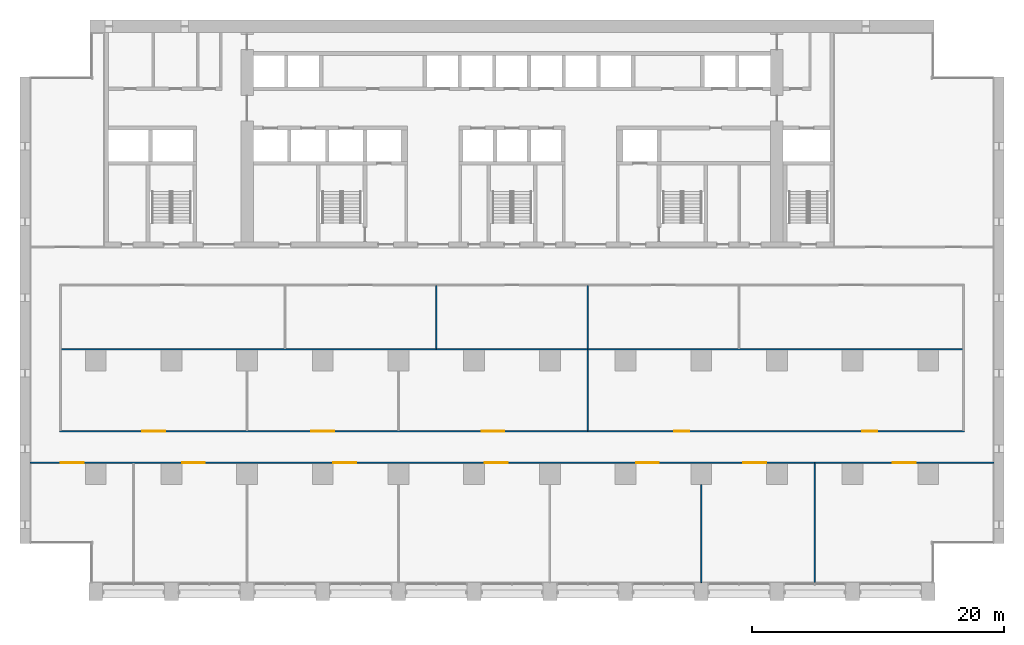
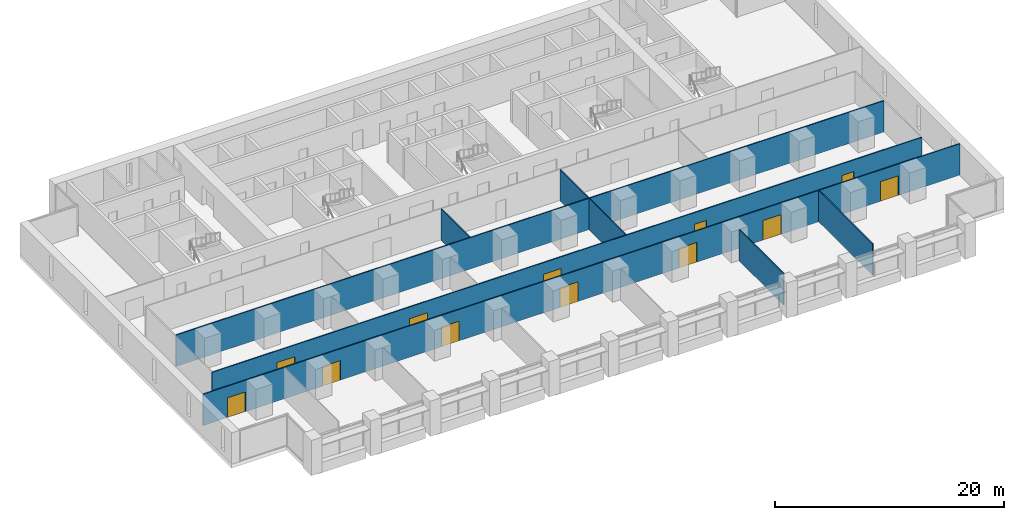
# One storey, part 9 of 18: 12 doors, 8 walls, 12 openings.
"""IFC4 building model written with IfcOpenShell, lengths in metres."""

from ifc_helpers import new_model, si_unit, direction, frame, frame_2d, origin, place, context, subcontext, project, spatial, rectangle, extrude, material, layer, layer_set, type_object, element, fill, save


model = new_model("IFC4")

# Units and contexts
model_context = context("Model", 3, precision=1e-05, world=origin(), true_north=direction((0.0, 1.0)))
body_context = subcontext(model_context, "Body", "Model", "MODEL_VIEW")
ifc_project = project(units=[si_unit("LENGTHUNIT", "METRE"), si_unit("AREAUNIT", "SQUARE_METRE"), si_unit("VOLUMEUNIT", "CUBIC_METRE"), si_unit("PLANEANGLEUNIT", "RADIAN"), si_unit("MASSUNIT", "GRAM", prefix="KILO")], contexts=[model_context])

# Site, building, storey
site_placement = place(None, origin())
site = spatial("IfcSite", under=ifc_project, at=site_placement, CompositionType="ELEMENT")
building_placement = place(site_placement, origin())
building = spatial("IfcBuilding", under=site, at=building_placement, Name="Calvaro Tower", CompositionType="ELEMENT")
storey_placement = place(building_placement, frame((0.0, 0.0, 56.25)))
storey = spatial("IfcBuildingStorey", under=building, at=storey_placement, Name="L13", CompositionType="ELEMENT", Elevation=56.25)

# Wall, openings, doors
ifc_material_1 = material(Name="Plasterboard on steel studs", Category="steel")
ifc_layer_1 = layer(ifc_material_1, 0.10009765625)
ifc_layer_set_1 = layer_set([ifc_layer_1], Name="Plasterboard on steel studs")
wall_type_1 = type_object("IfcWallType", Name="Partition 100", PredefinedType="PARTITIONING", material=ifc_layer_set_1)
wall_1_placement = place(storey_placement, frame((0.800048828125, 10.89990234375, 0.0), z_axis=(0.0, 0.0, 1.0), x_axis=(1.0, 0.0, 0.0)))
wall_1 = element("IfcWall", 1, at=wall_1_placement, inside=storey, type_object=wall_type_1, Name="Partition T11.W001", PredefinedType="PARTITIONING", context=body_context, shape_type="SweptSolid", body=[
    extrude(rectangle(XDim=76.39990234375, YDim=0.10009765625, at=frame_2d((38.199951171875, 0.0))), origin(), (0.0, 0.0, 1.0), 3.35009765625),
])
opening_1_placement = place(wall_1_placement, frame((12.050048828125, 0.0, 0.0)))
opening_1 = element("IfcOpeningElement", 2, at=opening_1_placement, cuts=wall_1, Name="Opening T11.001", PredefinedType="OPENING", context=body_context, shape_type="SweptSolid", body=[
    extrude(rectangle(XDim=1.800048828125, YDim=2.10009765625, at=frame_2d((0.89990234375, 1.050048828125))), frame((0.0, 0.06005859375, 0.0), z_axis=(0.0, -1.0, 0.0), x_axis=(1.0, 0.0, 0.0)), (0.0, 0.0, 1.0), 0.1201171875),
])
opening_2_placement = place(wall_1_placement, frame((56.550048828125, 0.0, 0.0)))
opening_2 = element("IfcOpeningElement", 3, at=opening_2_placement, cuts=wall_1, Name="Opening T11.002", PredefinedType="OPENING", context=body_context, shape_type="SweptSolid", body=[
    extrude(rectangle(XDim=1.800048828125, YDim=2.10009765625, at=frame_2d((0.89990234375, 1.050048828125))), frame((0.0, 0.06005859375, 0.0), z_axis=(0.0, -1.0, 0.0), x_axis=(1.0, 0.0, 0.0)), (0.0, 0.0, 1.0), 0.1201171875),
])
opening_3_placement = place(wall_1_placement, frame((24.050048828125, 0.0, 0.0)))
opening_3 = element("IfcOpeningElement", 4, at=opening_3_placement, cuts=wall_1, Name="Opening T11.003", PredefinedType="OPENING", context=body_context, shape_type="SweptSolid", body=[
    extrude(rectangle(XDim=1.800048828125, YDim=2.10009765625, at=frame_2d((0.89990234375, 1.050048828125))), frame((0.0, 0.06005859375, 0.0), z_axis=(0.0, -1.0, 0.0), x_axis=(1.0, 0.0, 0.0)), (0.0, 0.0, 1.0), 0.1201171875),
])
opening_4_placement = place(wall_1_placement, frame((36.050048828125, 0.0, 0.0)))
opening_4 = element("IfcOpeningElement", 5, at=opening_4_placement, cuts=wall_1, Name="Opening T11.004", PredefinedType="OPENING", context=body_context, shape_type="SweptSolid", body=[
    extrude(rectangle(XDim=1.800048828125, YDim=2.10009765625, at=frame_2d((0.89990234375, 1.050048828125))), frame((0.0, 0.06005859375, 0.0), z_axis=(0.0, -1.0, 0.0), x_axis=(1.0, 0.0, 0.0)), (0.0, 0.0, 1.0), 0.1201171875),
])
opening_5_placement = place(wall_1_placement, frame((48.050048828125, 0.0, 0.0)))
opening_5 = element("IfcOpeningElement", 6, at=opening_5_placement, cuts=wall_1, Name="Opening T11.005", PredefinedType="OPENING", context=body_context, shape_type="SweptSolid", body=[
    extrude(rectangle(XDim=1.800048828125, YDim=2.10009765625, at=frame_2d((0.89990234375, 1.050048828125))), frame((0.0, 0.06005859375, 0.0), z_axis=(0.0, -1.0, 0.0), x_axis=(1.0, 0.0, 0.0)), (0.0, 0.0, 1.0), 0.1201171875),
])
opening_6_placement = place(wall_1_placement, frame((68.39990234375, 0.0, 0.0)))
opening_6 = element("IfcOpeningElement", 7, at=opening_6_placement, cuts=wall_1, Name="Opening T11.006", PredefinedType="OPENING", context=body_context, shape_type="SweptSolid", body=[
    extrude(rectangle(XDim=1.800048828125, YDim=2.10009765625, at=frame_2d((0.89990234375, 1.050048828125))), frame((0.0, 0.06005859375, 0.0), z_axis=(0.0, -1.0, 0.0), x_axis=(1.0, 0.0, 0.0)), (0.0, 0.0, 1.0), 0.1201171875),
])
opening_7_placement = place(wall_1_placement, frame((2.449951171875, 0.0, 0.0)))
opening_7 = element("IfcOpeningElement", 8, at=opening_7_placement, cuts=wall_1, Name="Opening T11.007", PredefinedType="OPENING", context=body_context, shape_type="SweptSolid", body=[
    extrude(rectangle(XDim=1.800048828125, YDim=2.10009765625, at=frame_2d((0.89990234375, 1.050048828125))), frame((0.0, 0.06005859375, 0.0), z_axis=(0.0, -1.0, 0.0), x_axis=(1.0, 0.0, 0.0)), (0.0, 0.0, 1.0), 0.1201171875),
])
ifc_material_2 = material(Name="Timber", Category="wood")
door_type_1 = type_object("IfcDoorType", Name="Internal double door 1800 x 2100", OperationType="DOUBLE_DOOR_SINGLE_SWING", PredefinedType="DOOR", material=ifc_material_2)
door_1_placement = place(opening_1_placement, origin())
door_1 = element("IfcDoor", 9, at=door_1_placement, inside=storey, type_object=door_type_1, Name="Door T11.001", OperationType="DOUBLE_DOOR_SINGLE_SWING", OverallHeight=2.10009765625, OverallWidth=1.800048828125, PredefinedType="DOOR", context=body_context, shape_type="SweptSolid", body=[
    extrude(rectangle(XDim=1.800048828125, YDim=2.10009765625, at=frame_2d((0.89990234375, 1.050048828125))), frame((0.0, 0.02490234375, 0.0), z_axis=(0.0, -1.0, 0.0), x_axis=(1.0, 0.0, 0.0)), (0.0, 0.0, 1.0), 0.050048828125),
])
fill(opening_1, door_1)
door_2_placement = place(opening_2_placement, origin())
door_2 = element("IfcDoor", 10, at=door_2_placement, inside=storey, type_object=door_type_1, Name="Door T11.002", OperationType="DOUBLE_DOOR_SINGLE_SWING", OverallHeight=2.10009765625, OverallWidth=1.800048828125, PredefinedType="DOOR", context=body_context, shape_type="SweptSolid", body=[
    extrude(rectangle(XDim=1.800048828125, YDim=2.10009765625, at=frame_2d((0.89990234375, 1.050048828125))), frame((0.0, 0.02490234375, 0.0), z_axis=(0.0, -1.0, 0.0), x_axis=(1.0, 0.0, 0.0)), (0.0, 0.0, 1.0), 0.050048828125),
])
fill(opening_2, door_2)
door_3_placement = place(opening_3_placement, origin())
door_3 = element("IfcDoor", 11, at=door_3_placement, inside=storey, type_object=door_type_1, Name="Door T11.003", OperationType="DOUBLE_DOOR_SINGLE_SWING", OverallHeight=2.10009765625, OverallWidth=1.800048828125, PredefinedType="DOOR", context=body_context, shape_type="SweptSolid", body=[
    extrude(rectangle(XDim=1.800048828125, YDim=2.10009765625, at=frame_2d((0.89990234375, 1.050048828125))), frame((0.0, 0.02490234375, 0.0), z_axis=(0.0, -1.0, 0.0), x_axis=(1.0, 0.0, 0.0)), (0.0, 0.0, 1.0), 0.050048828125),
])
fill(opening_3, door_3)
door_4_placement = place(opening_4_placement, origin())
door_4 = element("IfcDoor", 12, at=door_4_placement, inside=storey, type_object=door_type_1, Name="Door T11.004", OperationType="DOUBLE_DOOR_SINGLE_SWING", OverallHeight=2.10009765625, OverallWidth=1.800048828125, PredefinedType="DOOR", context=body_context, shape_type="SweptSolid", body=[
    extrude(rectangle(XDim=1.800048828125, YDim=2.10009765625, at=frame_2d((0.89990234375, 1.050048828125))), frame((0.0, 0.02490234375, 0.0), z_axis=(0.0, -1.0, 0.0), x_axis=(1.0, 0.0, 0.0)), (0.0, 0.0, 1.0), 0.050048828125),
])
fill(opening_4, door_4)
door_5_placement = place(opening_5_placement, origin())
door_5 = element("IfcDoor", 13, at=door_5_placement, inside=storey, type_object=door_type_1, Name="Door T11.005", OperationType="DOUBLE_DOOR_SINGLE_SWING", OverallHeight=2.10009765625, OverallWidth=1.800048828125, PredefinedType="DOOR", context=body_context, shape_type="SweptSolid", body=[
    extrude(rectangle(XDim=1.800048828125, YDim=2.10009765625, at=frame_2d((0.89990234375, 1.050048828125))), frame((0.0, 0.02490234375, 0.0), z_axis=(0.0, -1.0, 0.0), x_axis=(1.0, 0.0, 0.0)), (0.0, 0.0, 1.0), 0.050048828125),
])
fill(opening_5, door_5)
door_6_placement = place(opening_6_placement, origin())
door_6 = element("IfcDoor", 14, at=door_6_placement, inside=storey, type_object=door_type_1, Name="Door T11.006", OperationType="DOUBLE_DOOR_SINGLE_SWING", OverallHeight=2.10009765625, OverallWidth=1.800048828125, PredefinedType="DOOR", context=body_context, shape_type="SweptSolid", body=[
    extrude(rectangle(XDim=1.800048828125, YDim=2.10009765625, at=frame_2d((0.89990234375, 1.050048828125))), frame((0.0, 0.02490234375, 0.0), z_axis=(0.0, -1.0, 0.0), x_axis=(1.0, 0.0, 0.0)), (0.0, 0.0, 1.0), 0.050048828125),
])
fill(opening_6, door_6)
door_7_placement = place(opening_7_placement, origin())
door_7 = element("IfcDoor", 15, at=door_7_placement, inside=storey, type_object=door_type_1, Name="Door T11.007", OperationType="DOUBLE_DOOR_SINGLE_SWING", OverallHeight=2.10009765625, OverallWidth=1.800048828125, PredefinedType="DOOR", context=body_context, shape_type="SweptSolid", body=[
    extrude(rectangle(XDim=1.800048828125, YDim=2.10009765625, at=frame_2d((0.89990234375, 1.050048828125))), frame((0.0, 0.02490234375, 0.0), z_axis=(0.0, -1.0, 0.0), x_axis=(1.0, 0.0, 0.0)), (0.0, 0.0, 1.0), 0.050048828125),
])
fill(opening_7, door_7)

wall_2_placement = place(storey_placement, frame((3.14990234375, 13.39990234375, 0.0), z_axis=(0.0, 0.0, 1.0), x_axis=(1.0, 0.0, 0.0)))
wall_2 = element("IfcWall", 16, at=wall_2_placement, inside=storey, type_object=wall_type_1, Name="Partition T11.W002", PredefinedType="PARTITIONING", context=body_context, shape_type="SweptSolid", body=[
    extrude(rectangle(XDim=71.7001953125, YDim=0.10009765625, at=frame_2d((35.85009765625, 0.0))), origin(), (0.0, 0.0, 1.0), 3.35009765625),
])
opening_8_placement = place(wall_2_placement, frame((6.550048828125, 0.0, 0.0)))
opening_8 = element("IfcOpeningElement", 17, at=opening_8_placement, cuts=wall_2, Name="Opening T11.008", PredefinedType="OPENING", context=body_context, shape_type="SweptSolid", body=[
    extrude(rectangle(XDim=1.800048828125, YDim=2.10009765625, at=frame_2d((0.89990234375, 1.050048828125))), frame((0.0, 0.06005859375, 0.0), z_axis=(0.0, -1.0, 0.0), x_axis=(1.0, 0.0, 0.0)), (0.0, 0.0, 1.0), 0.1201171875),
])
opening_9_placement = place(wall_2_placement, frame((33.449951171875, 0.0, 0.0)))
opening_9 = element("IfcOpeningElement", 18, at=opening_9_placement, cuts=wall_2, Name="Opening T11.009", PredefinedType="OPENING", context=body_context, shape_type="SweptSolid", body=[
    extrude(rectangle(XDim=1.800048828125, YDim=2.10009765625, at=frame_2d((0.89990234375, 1.050048828125))), frame((0.0, 0.06005859375, 0.0), z_axis=(0.0, -1.0, 0.0), x_axis=(1.0, 0.0, 0.0)), (0.0, 0.0, 1.0), 0.1201171875),
])
opening_10_placement = place(wall_2_placement, frame((48.699951171875, 0.0, 0.0)))
opening_10 = element("IfcOpeningElement", 19, at=opening_10_placement, cuts=wall_2, Name="Opening T11.010", PredefinedType="OPENING", context=body_context, shape_type="SweptSolid", body=[
    extrude(rectangle(XDim=1.199951171875, YDim=2.10009765625, at=frame_2d((0.60009765625, 1.050048828125))), frame((0.0, 0.06005859375, 0.0), z_axis=(0.0, -1.0, 0.0), x_axis=(1.0, 0.0, 0.0)), (0.0, 0.0, 1.0), 0.1201171875),
])
opening_11_placement = place(wall_2_placement, frame((63.60009765625, 0.0, 0.0)))
opening_11 = element("IfcOpeningElement", 20, at=opening_11_placement, cuts=wall_2, Name="Opening T11.011", PredefinedType="OPENING", context=body_context, shape_type="SweptSolid", body=[
    extrude(rectangle(XDim=1.199951171875, YDim=2.10009765625, at=frame_2d((0.60009765625, 1.050048828125))), frame((0.0, 0.06005859375, 0.0), z_axis=(0.0, -1.0, 0.0), x_axis=(1.0, 0.0, 0.0)), (0.0, 0.0, 1.0), 0.1201171875),
])
opening_12_placement = place(wall_2_placement, frame((19.949951171875, 0.0, 0.0)))
opening_12 = element("IfcOpeningElement", 21, at=opening_12_placement, cuts=wall_2, Name="Opening T11.012", PredefinedType="OPENING", context=body_context, shape_type="SweptSolid", body=[
    extrude(rectangle(XDim=1.800048828125, YDim=2.10009765625, at=frame_2d((0.89990234375, 1.050048828125))), frame((0.0, 0.06005859375, 0.0), z_axis=(0.0, -1.0, 0.0), x_axis=(1.0, 0.0, 0.0)), (0.0, 0.0, 1.0), 0.1201171875),
])
door_8_placement = place(opening_8_placement, origin())
door_8 = element("IfcDoor", 22, at=door_8_placement, inside=storey, type_object=door_type_1, Name="Door T11.008", OperationType="DOUBLE_DOOR_SINGLE_SWING", OverallHeight=2.10009765625, OverallWidth=1.800048828125, PredefinedType="DOOR", context=body_context, shape_type="SweptSolid", body=[
    extrude(rectangle(XDim=1.800048828125, YDim=2.10009765625, at=frame_2d((0.89990234375, 1.050048828125))), frame((0.0, 0.02490234375, 0.0), z_axis=(0.0, -1.0, 0.0), x_axis=(1.0, 0.0, 0.0)), (0.0, 0.0, 1.0), 0.050048828125),
])
fill(opening_8, door_8)
door_9_placement = place(opening_9_placement, origin())
door_9 = element("IfcDoor", 23, at=door_9_placement, inside=storey, type_object=door_type_1, Name="Door T11.009", OperationType="DOUBLE_DOOR_SINGLE_SWING", OverallHeight=2.10009765625, OverallWidth=1.800048828125, PredefinedType="DOOR", context=body_context, shape_type="SweptSolid", body=[
    extrude(rectangle(XDim=1.800048828125, YDim=2.10009765625, at=frame_2d((0.89990234375, 1.050048828125))), frame((0.0, 0.02490234375, 0.0), z_axis=(0.0, -1.0, 0.0), x_axis=(1.0, 0.0, 0.0)), (0.0, 0.0, 1.0), 0.050048828125),
])
fill(opening_9, door_9)
door_10_placement = place(opening_12_placement, origin())
door_10 = element("IfcDoor", 24, at=door_10_placement, inside=storey, type_object=door_type_1, Name="Door T11.012", OperationType="DOUBLE_DOOR_SINGLE_SWING", OverallHeight=2.10009765625, OverallWidth=1.800048828125, PredefinedType="DOOR", context=body_context, shape_type="SweptSolid", body=[
    extrude(rectangle(XDim=1.800048828125, YDim=2.10009765625, at=frame_2d((0.89990234375, 1.050048828125))), frame((0.0, 0.02490234375, 0.0), z_axis=(0.0, -1.0, 0.0), x_axis=(1.0, 0.0, 0.0)), (0.0, 0.0, 1.0), 0.050048828125),
])
fill(opening_12, door_10)
ifc_material_3 = material(Name="Timber", Category="wood")
door_type_2 = type_object("IfcDoorType", Name="Internal single door 1200 x 2100", OperationType="SINGLE_SWING_LEFT", PredefinedType="DOOR", material=ifc_material_3)
door_11_placement = place(opening_10_placement, origin())
door_11 = element("IfcDoor", 25, at=door_11_placement, inside=storey, type_object=door_type_2, Name="Door T11.010", OperationType="SINGLE_SWING_RIGHT", OverallHeight=2.10009765625, OverallWidth=1.199951171875, PredefinedType="DOOR", context=body_context, shape_type="SweptSolid", body=[
    extrude(rectangle(XDim=1.199951171875, YDim=2.10009765625, at=frame_2d((0.60009765625, 1.050048828125))), frame((0.0, 0.02490234375, 0.0), z_axis=(0.0, -1.0, 0.0), x_axis=(1.0, 0.0, 0.0)), (0.0, 0.0, 1.0), 0.050048828125),
])
fill(opening_10, door_11)
door_12_placement = place(opening_11_placement, origin())
door_12 = element("IfcDoor", 26, at=door_12_placement, inside=storey, type_object=door_type_2, Name="Door T11.011", OperationType="SINGLE_SWING_RIGHT", OverallHeight=2.10009765625, OverallWidth=1.199951171875, PredefinedType="DOOR", context=body_context, shape_type="SweptSolid", body=[
    extrude(rectangle(XDim=1.199951171875, YDim=2.10009765625, at=frame_2d((0.60009765625, 1.050048828125))), frame((0.0, 0.02490234375, 0.0), z_axis=(0.0, -1.0, 0.0), x_axis=(1.0, 0.0, 0.0)), (0.0, 0.0, 1.0), 0.050048828125),
])
fill(opening_11, door_12)

# Walls
wall_3_placement = place(storey_placement, frame((45.0, 13.449951171875, 0.0), z_axis=(0.0, 0.0, 1.0), x_axis=(0.0, 1.0, 0.0)))
element("IfcWall", 27, at=wall_3_placement, inside=storey, type_object=wall_type_1, Name="Partition T11.W016", PredefinedType="PARTITIONING", context=body_context, shape_type="SweptSolid", body=[
    extrude(rectangle(XDim=6.400146484375, YDim=0.10009765625, at=frame_2d((3.2001953125, 0.0))), origin(), (0.0, 0.0, 1.0), 3.35009765625),
])
wall_4_placement = place(storey_placement, frame((54.0, 1.39990234375, 0.0), z_axis=(0.0, 0.0, 1.0), x_axis=(0.0, 1.0, 0.0)))
element("IfcWall", 28, at=wall_4_placement, inside=storey, type_object=wall_type_1, Name="Partition T11.W018", PredefinedType="PARTITIONING", context=body_context, shape_type="SweptSolid", body=[
    extrude(rectangle(XDim=7.775146484375, YDim=0.10009765625, at=frame_2d((3.8876953125, 0.0))), origin(), (0.0, 0.0, 1.0), 3.35009765625),
])
wall_5_placement = place(storey_placement, frame((63.0, 1.39990234375, 0.0), z_axis=(0.0, 0.0, 1.0), x_axis=(0.0, 1.0, 0.0)))
element("IfcWall", 29, at=wall_5_placement, inside=storey, type_object=wall_type_1, Name="Partition T11.W020", PredefinedType="PARTITIONING", context=body_context, shape_type="SweptSolid", body=[
    extrude(rectangle(XDim=9.4501953125, YDim=0.10009765625, at=frame_2d((4.72509765625, 0.0))), origin(), (0.0, 0.0, 1.0), 3.35009765625),
])
ifc_material_4 = material(Name="Plasterboard on steel studs", Category="steel")
ifc_layer_2 = layer(ifc_material_4, 0.10009765625)
ifc_layer_set_2 = layer_set([ifc_layer_2], Name="Plasterboard on steel studs")
wall_type_2 = type_object("IfcWallType", Name="Partition 100 REI 120", PredefinedType="PARTITIONING", material=ifc_layer_set_2)
wall_6_placement = place(storey_placement, frame((3.25, 19.89990234375, 0.0), z_axis=(0.0, 0.0, 1.0), x_axis=(1.0, 0.0, 0.0)))
element("IfcWall", 30, at=wall_6_placement, inside=storey, type_object=wall_type_2, Name="Partition T11.W003", PredefinedType="PARTITIONING", context=body_context, shape_type="SweptSolid", body=[
    extrude(rectangle(XDim=71.5, YDim=0.10009765625, at=frame_2d((35.75, 0.0))), origin(), (0.0, 0.0, 1.0), 3.35009765625),
])
for number, where, z_axis, x_axis, name in (
    (31, (33.0, 19.949951171875, 0.0), (0.0, 0.0, 1.0), (0.0, 1.0, 0.0), "Partition T11.W014"),
    (32, (45.0, 19.949951171875, 0.0), (0.0, 0.0, 1.0), (0.0, 1.0, 0.0), "Partition T11.W017"),
):
    element("IfcWall", number, at=place(storey_placement, frame(where, z_axis=z_axis, x_axis=x_axis)), inside=storey, type_object=wall_type_2, Name=name, PredefinedType="PARTITIONING", context=body_context, shape_type="SweptSolid", body=[
        extrude(rectangle(XDim=5.0, YDim=0.10009765625, at=frame_2d((2.5, 0.0))), origin(), (0.0, 0.0, 1.0), 3.35009765625),
    ])

save(model, "model.ifc")
